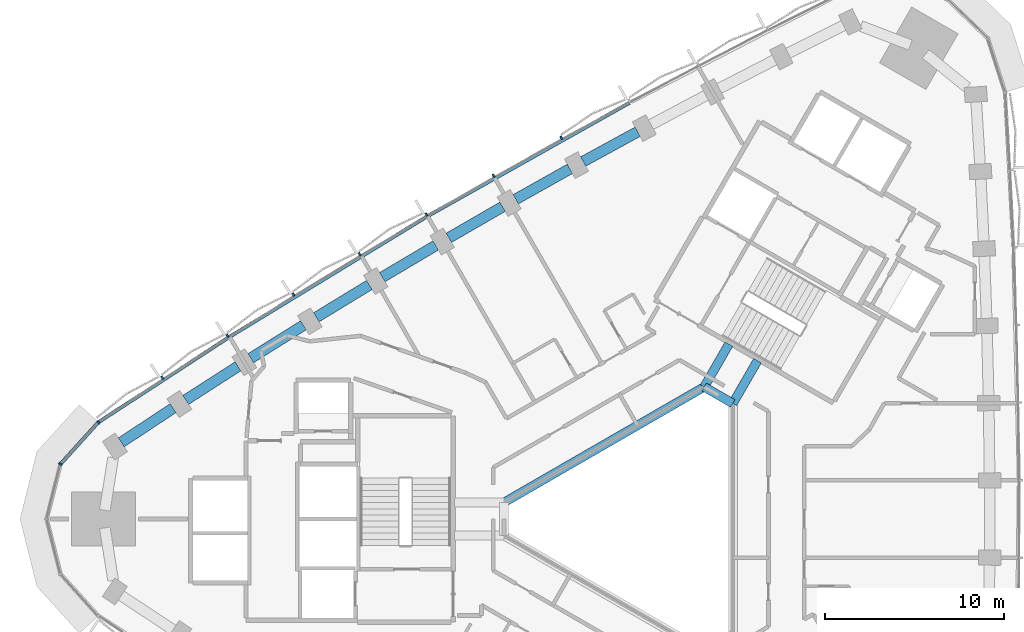
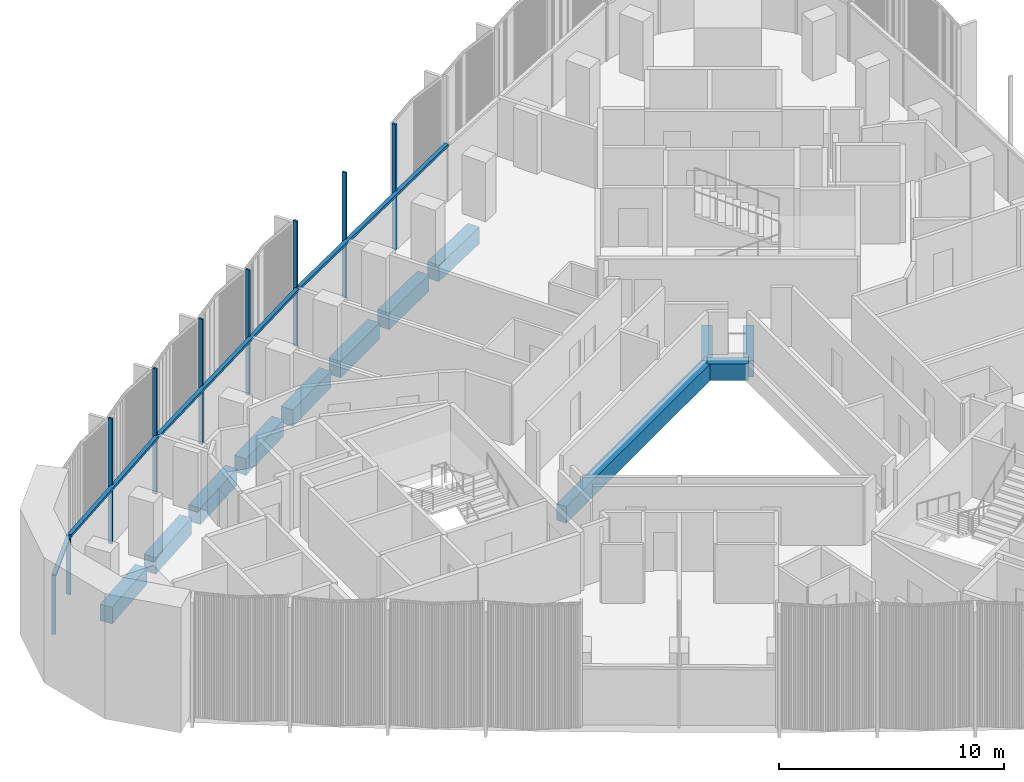
# One storey, part 4 of 15: 13 members, 12 beams, 1 element without a shape of its own.
"""IFC4 building model written with IfcOpenShell, lengths in metres."""

from ifc_helpers import new_model, si_unit, direction, frame, origin, origin_2d, place, context, subcontext, project, spatial, rectangle, extrude, material, material_profile, profile_set, type_object, element, aggregate, save


model = new_model("IFC4")

# Units and contexts
model_context = context("Model", 3, precision=1e-05, world=origin(), true_north=direction((0.0, 1.0)))
body_context = subcontext(model_context, "Body", "Model", "MODEL_VIEW")
ifc_project = project(units=[si_unit("LENGTHUNIT", "METRE"), si_unit("AREAUNIT", "SQUARE_METRE"), si_unit("VOLUMEUNIT", "CUBIC_METRE"), si_unit("PLANEANGLEUNIT", "RADIAN"), si_unit("MASSUNIT", "GRAM", prefix="KILO")], contexts=[model_context])

# Site, building, storey
site_placement = place(None, origin())
site = spatial("IfcSite", under=ifc_project, at=site_placement, CompositionType="ELEMENT")
building_placement = place(site_placement, origin())
building = spatial("IfcBuilding", under=site, at=building_placement, Name="Tamra Quay Hotel Tower", CompositionType="ELEMENT")
storey_placement = place(building_placement, frame((0.0, 0.0, 128.800048828125)))
storey = spatial("IfcBuildingStorey", under=building, at=storey_placement, Name="L31", CompositionType="ELEMENT", Elevation=128.800048828125)

# Beams
ifc_material_1 = material(Name="Concrete M60", Category="concrete")
ifc_material_profile_1 = material_profile(ifc_material_1, rectangle(XDim=0.5, YDim=0.89990234375, at=origin_2d()), Name="ATRIUM EDGE BEAM RC 500x900")
ifc_profile_set_1 = profile_set([ifc_material_profile_1], Name="Concrete M60")
beam_type_1 = type_object("IfcBeamType", Name="ATRIUM EDGE BEAM RC 500x900", PredefinedType="BEAM", material=ifc_profile_set_1)
beam_1_placement = place(storey_placement, frame((-8.0, 0.923828125, -0.85009765625), z_axis=(0.866024942741, 0.500000798549, 0.0), x_axis=(-0.500000798549, 0.866024942741, 0.0)))
element("IfcBeam", 1, at=beam_1_placement, inside=storey, type_object=beam_type_1, Name="BM-AB4-L31", PredefinedType="BEAM", context=body_context, shape_type="SweptSolid", body=[
    extrude(rectangle(XDim=0.5, YDim=0.89990234375, at=origin_2d()), origin(), (0.0, 0.0, 1.0), 12.9326171875),
])
beam_2_placement = place(storey_placement, frame((3.199951171875, 7.39013671875, -0.85009765625), z_axis=(0.86602275259, -0.500004591975, 0.0), x_axis=(0.500004591975, 0.86602275259, 0.0)))
element("IfcBeam", 2, at=beam_2_placement, inside=storey, type_object=beam_type_1, Name="BM-AB5-L31", PredefinedType="BEAM", context=body_context, shape_type="SweptSolid", body=[
    extrude(rectangle(XDim=0.5, YDim=0.89990234375, at=origin_2d()), origin(), (0.0, 0.0, 1.0), 1.84765625),
])
ifc_material_profile_2 = material_profile(ifc_material_1, rectangle(XDim=0.5, YDim=0.89990234375, at=origin_2d()), Name="ATRIUM TIE BEAM RC 500x900")
ifc_profile_set_2 = profile_set([ifc_material_profile_2], Name="Concrete M60")
beam_type_2 = type_object("IfcBeamType", Name="ATRIUM TIE BEAM RC 500x900", PredefinedType="BEAM", material=ifc_profile_set_2)
for number, where, z_axis, x_axis, name in (
    (3, (4.800048828125, 6.46630859375, -0.85009765625), (0.500008091576, 0.86602073206, 0.0), (-0.86602073206, 0.500008091576, 0.0), "BM-TIE-0-L31"),
    (4, (3.199951171875, 7.39013671875, -0.85009765625), (0.500008091576, 0.86602073206, 0.0), (-0.86602073206, 0.500008091576, 0.0), "BM-TIE-5-L31"),
):
    element("IfcBeam", number, at=place(storey_placement, frame(where, z_axis=z_axis, x_axis=x_axis)), inside=storey, type_object=beam_type_2, Name=name, PredefinedType="BEAM", context=body_context, shape_type="SweptSolid", body=[
        extrude(rectangle(XDim=0.5, YDim=0.89990234375, at=origin_2d()), origin(), (0.0, 0.0, 1.0), 2.76220703125),
    ])

# Curtain wall, members
ifc_material_2 = material(Name="Aluminium 6063 anodised dark grey", Category="aluminium")
curtain_wall_type = type_object("IfcCurtainWallType", Name="CW2 CURTAIN WALL", PredefinedType="NOTDEFINED", material=ifc_material_2)
curtain_wall_placement = place(storey_placement, origin())
curtain_wall = element("IfcCurtainWall", 5, at=curtain_wall_placement, inside=storey, type_object=curtain_wall_type, Name="CW2 north-west face L31", PredefinedType="NOTDEFINED")
ifc_material_profile_3 = material_profile(ifc_material_2, rectangle(XDim=0.199951171875, YDim=0.10009765625, at=origin_2d()), Name="MULLION 100X200")
ifc_profile_set_3 = profile_set([ifc_material_profile_3], Name="Aluminium 6063 anodised dark grey")
member_type_1 = type_object("IfcMemberType", Name="MULLION CW2 Z3", PredefinedType="MULLION", material=ifc_profile_set_3)
member_1_placement = place(storey_placement, frame((-4.792236328125, 21.329345703125, 0.0), z_axis=(0.0, 0.0, 1.0), x_axis=(-0.484394477866, 0.874849695555, 0.0)))
member_1 = element("IfcMember", 6, at=member_1_placement, type_object=member_type_1, Name="CW2 mullion L31.NW.5", PredefinedType="MULLION", context=body_context, shape_type="SweptSolid", body=[
    extrude(rectangle(XDim=0.199951171875, YDim=0.10009765625, at=origin_2d()), origin(), (0.0, 0.0, 1.0), 6.800048828125),
])
member_2_placement = place(storey_placement, frame((-8.578857421875, 19.202880859375, 0.0), z_axis=(0.0, 0.0, 1.0), x_axis=(-0.494813426934, 0.868999236205, 0.0)))
member_2 = element("IfcMember", 7, at=member_2_placement, type_object=member_type_1, Name="CW2 mullion L31.NW.6", PredefinedType="MULLION", context=body_context, shape_type="SweptSolid", body=[
    extrude(rectangle(XDim=0.199951171875, YDim=0.10009765625, at=origin_2d()), origin(), (0.0, 0.0, 1.0), 6.800048828125),
])
member_3_placement = place(storey_placement, frame((-12.3408203125, 17.031005859375, 0.0), z_axis=(0.0, 0.0, 1.0), x_axis=(-0.505168700956, 0.863020615961, 0.0)))
member_3 = element("IfcMember", 8, at=member_3_placement, type_object=member_type_1, Name="CW2 mullion L31.NW.7", PredefinedType="MULLION", context=body_context, shape_type="SweptSolid", body=[
    extrude(rectangle(XDim=0.199951171875, YDim=0.10009765625, at=origin_2d()), origin(), (0.0, 0.0, 1.0), 6.800048828125),
])
member_4_placement = place(storey_placement, frame((-16.07568359375, 14.814697265625, 0.0), z_axis=(0.0, 0.0, 1.0), x_axis=(-0.515444821911, 0.856922771062, 0.0)))
member_4 = element("IfcMember", 9, at=member_4_placement, type_object=member_type_1, Name="CW2 mullion L31.NW.8", PredefinedType="MULLION", context=body_context, shape_type="SweptSolid", body=[
    extrude(rectangle(XDim=0.199951171875, YDim=0.10009765625, at=origin_2d()), origin(), (0.0, 0.0, 1.0), 6.800048828125),
])
member_5_placement = place(storey_placement, frame((-19.784423828125, 12.5537109375, 0.0), z_axis=(0.0, 0.0, 1.0), x_axis=(-0.525646005383, 0.850703401325, 0.0)))
member_5 = element("IfcMember", 10, at=member_5_placement, type_object=member_type_1, Name="CW2 mullion L31.NW.9", PredefinedType="MULLION", context=body_context, shape_type="SweptSolid", body=[
    extrude(rectangle(XDim=0.199951171875, YDim=0.10009765625, at=origin_2d()), origin(), (0.0, 0.0, 1.0), 6.800048828125),
])
member_6_placement = place(storey_placement, frame((-23.466064453125, 10.248291015625, 0.0), z_axis=(0.0, 0.0, 1.0), x_axis=(-0.535760125246, 0.844370231709, 0.0)))
member_6 = element("IfcMember", 11, at=member_6_placement, type_object=member_type_1, Name="CW2 mullion L31.NW.10", PredefinedType="MULLION", context=body_context, shape_type="SweptSolid", body=[
    extrude(rectangle(XDim=0.199951171875, YDim=0.10009765625, at=origin_2d()), origin(), (0.0, 0.0, 1.0), 6.800048828125),
])
member_7_placement = place(storey_placement, frame((-27.119140625, 7.899658203125, 0.0), z_axis=(0.0, 0.0, 1.0), x_axis=(-0.545780314448, 0.837928307411, 0.0)))
member_7 = element("IfcMember", 12, at=member_7_placement, type_object=member_type_1, Name="CW2 mullion L31.NW.11", PredefinedType="MULLION", context=body_context, shape_type="SweptSolid", body=[
    extrude(rectangle(XDim=0.199951171875, YDim=0.10009765625, at=origin_2d()), origin(), (0.0, 0.0, 1.0), 6.800048828125),
])
member_8_placement = place(storey_placement, frame((-30.688720703125, 5.424560546875, 0.0), z_axis=(0.0, 0.0, 1.0), x_axis=(-0.650989312843, 0.759086895266, 0.0)))
member_8 = element("IfcMember", 13, at=member_8_placement, type_object=member_type_1, Name="CW2 mullion L31.NW.12", PredefinedType="MULLION", context=body_context, shape_type="SweptSolid", body=[
    extrude(rectangle(XDim=0.199951171875, YDim=0.10009765625, at=origin_2d()), origin(), (0.0, 0.0, 1.0), 3.199951171875),
])
member_9_placement = place(storey_placement, frame((-32.81787109375, 3.075439453125, 0.0), z_axis=(0.0, 0.0, 1.0), x_axis=(-0.881925145425, 0.47138947577, 0.0)))
member_9 = element("IfcMember", 14, at=member_9_placement, type_object=member_type_1, Name="CW2 mullion L31.NW.13", PredefinedType="MULLION", context=body_context, shape_type="SweptSolid", body=[
    extrude(rectangle(XDim=0.199951171875, YDim=0.10009765625, at=origin_2d()), origin(), (0.0, 0.0, 1.0), 3.199951171875),
])

# Beams
ifc_material_profile_4 = material_profile(ifc_material_1, rectangle(XDim=0.60009765625, YDim=0.89990234375, at=origin_2d()), Name="SPANDREL BEAM RC 600x900")
ifc_profile_set_4 = profile_set([ifc_material_profile_4], Name="Concrete M60")
beam_type_3 = type_object("IfcBeamType", Name="SPANDREL BEAM RC 600x900", PredefinedType="SPANDREL", material=ifc_profile_set_4)
beam_3_placement = place(storey_placement, frame((-0.523681640625, 21.6669921875, -0.85009765625), z_axis=(-0.877731617539, -0.479152593202, 0.0), x_axis=(0.479152593202, -0.877731617539, 0.0)))
element("IfcBeam", 15, at=beam_3_placement, inside=storey, type_object=beam_type_3, Name="BM-SP3-016-L31", PredefinedType="SPANDREL", context=body_context, shape_type="SweptSolid", body=[
    extrude(rectangle(XDim=0.60009765625, YDim=0.89990234375, at=origin_2d()), origin(), (0.0, 0.0, 1.0), 3.472412109375),
])
beam_4_placement = place(storey_placement, frame((-4.315185546875, 19.59130859375, -0.85009765625), z_axis=(-0.871956406858, -0.489583521516, 0.0), x_axis=(0.489583521516, -0.871956406858, 0.0)))
element("IfcBeam", 16, at=beam_4_placement, inside=storey, type_object=beam_type_3, Name="BM-SP3-017-L31", PredefinedType="SPANDREL", context=body_context, shape_type="SweptSolid", body=[
    extrude(rectangle(XDim=0.60009765625, YDim=0.89990234375, at=origin_2d()), origin(), (0.0, 0.0, 1.0), 3.47265625),
])
beam_5_placement = place(storey_placement, frame((-8.081787109375, 17.470458984375, -0.85009765625), z_axis=(-0.866032201241, -0.499988226275, 0.0), x_axis=(0.499988226275, -0.866032201241, 0.0)))
element("IfcBeam", 17, at=beam_5_placement, inside=storey, type_object=beam_type_3, Name="BM-SP3-018-L31", PredefinedType="SPANDREL", context=body_context, shape_type="SweptSolid", body=[
    extrude(rectangle(XDim=0.60009765625, YDim=0.89990234375, at=origin_2d()), origin(), (0.0, 0.0, 1.0), 3.47216796875),
])
beam_6_placement = place(storey_placement, frame((-11.822509765625, 15.304931640625, -0.85009765625), z_axis=(-0.859988767784, -0.510312962098, 0.0), x_axis=(0.510312962098, -0.859988767784, 0.0)))
element("IfcBeam", 18, at=beam_6_placement, inside=storey, type_object=beam_type_3, Name="BM-SP3-019-L31", PredefinedType="SPANDREL", context=body_context, shape_type="SweptSolid", body=[
    extrude(rectangle(XDim=0.60009765625, YDim=0.89990234375, at=origin_2d()), origin(), (0.0, 0.0, 1.0), 3.472900390625),
])
for number, where, z_axis, x_axis, name in (
    (19, (-15.53759765625, 13.094482421875, -0.85009765625), (-0.853835813207, -0.520542413339, 0.0), (0.520542413339, -0.853835813207, 0.0), "BM-SP3-020-L31"),
    (20, (-19.225341796875, 10.840087890625, -0.85009765625), (-0.847547681474, -0.530719255, 0.0), (0.530719255, -0.847547681474, 0.0), "BM-SP3-021-L31"),
):
    element("IfcBeam", number, at=place(storey_placement, frame(where, z_axis=z_axis, x_axis=x_axis)), inside=storey, type_object=beam_type_3, Name=name, PredefinedType="SPANDREL", context=body_context, shape_type="SweptSolid", body=[
        extrude(rectangle(XDim=0.60009765625, YDim=0.89990234375, at=origin_2d()), origin(), (0.0, 0.0, 1.0), 3.47216796875),
    ])
beam_7_placement = place(storey_placement, frame((-22.885986328125, 8.5419921875, -0.85009765625), z_axis=(-0.84116020305, -0.540786013878, 0.0), x_axis=(0.540786013878, -0.84116020305, 0.0)))
element("IfcBeam", 21, at=beam_7_placement, inside=storey, type_object=beam_type_3, Name="BM-SP3-022-L31", PredefinedType="SPANDREL", context=body_context, shape_type="SweptSolid", body=[
    extrude(rectangle(XDim=0.60009765625, YDim=0.89990234375, at=origin_2d()), origin(), (0.0, 0.0, 1.0), 3.47314453125),
])
beam_8_placement = place(storey_placement, frame((-26.51953125, 6.199951171875, -0.85009765625), z_axis=(-0.834690851507, -0.55071878705, 0.0), x_axis=(0.55071878705, -0.834690851507, 0.0)))
element("IfcBeam", 22, at=beam_8_placement, inside=storey, type_object=beam_type_3, Name="BM-SP3-023-L31", PredefinedType="SPANDREL", context=body_context, shape_type="SweptSolid", body=[
    extrude(rectangle(XDim=0.60009765625, YDim=0.89990234375, at=origin_2d()), origin(), (0.0, 0.0, 1.0), 3.472412109375),
])

# Member
ifc_material_profile_5 = material_profile(ifc_material_2, rectangle(XDim=0.199951171875, YDim=0.139892578125, at=origin_2d()), Name="TRANSOM 200X140")
ifc_profile_set_5 = profile_set([ifc_material_profile_5], Name="Aluminium 6063 anodised dark grey")
member_type_2 = type_object("IfcMemberType", Name="TRANSOM CW2 Z3", PredefinedType="USERDEFINED", material=ifc_profile_set_5)
member_10_placement = place(storey_placement, frame((-0.97607421875, 23.298828125, 3.1298828125), z_axis=(-0.871933427446, -0.48962444598, 0.0), x_axis=(0.48962444598, -0.871933427446, 0.0)))
member_10 = element("IfcMember", 23, at=member_10_placement, type_object=member_type_2, Name="CW2 transom L31.NW.4", ObjectType="TRANSOM", PredefinedType="USERDEFINED", context=body_context, shape_type="SweptSolid", body=[
    extrude(rectangle(XDim=0.199951171875, YDim=0.139892578125, at=origin_2d()), origin(), (0.0, 0.0, 1.0), 12.926513671875),
])

member_11_placement = place(storey_placement, frame((-12.333251953125, 16.919189453125, 3.1298828125), z_axis=(-0.853831802217, -0.520548992433, 0.0), x_axis=(0.520548992433, -0.853831802217, 0.0)))
member_11 = element("IfcMember", 24, at=member_11_placement, type_object=member_type_2, Name="CW2 transom L31.NW.7", ObjectType="TRANSOM", PredefinedType="USERDEFINED", context=body_context, shape_type="SweptSolid", body=[
    extrude(rectangle(XDim=0.199951171875, YDim=0.139892578125, at=origin_2d()), origin(), (0.0, 0.0, 1.0), 12.92626953125),
])

member_12_placement = place(storey_placement, frame((-23.45458984375, 10.13671875, 3.1298828125), z_axis=(-0.837931839727, -0.545774891298, 0.0), x_axis=(0.545774891298, -0.837931839727, 0.0)))
member_12 = element("IfcMember", 25, at=member_12_placement, type_object=member_type_2, Name="CW2 transom L31.NW.10", ObjectType="TRANSOM", PredefinedType="USERDEFINED", context=body_context, shape_type="SweptSolid", body=[
    extrude(rectangle(XDim=0.199951171875, YDim=0.139892578125, at=origin_2d()), origin(), (0.0, 0.0, 1.0), 8.583740234375),
])

member_13_placement = place(storey_placement, frame((-30.722412109375, 5.387451171875, 3.1298828125), z_axis=(-0.671548073699, -0.740960987307, 0.0), x_axis=(0.740960987307, -0.671548073699, 0.0)))
member_13 = element("IfcMember", 26, at=member_13_placement, type_object=member_type_2, Name="CW2 transom L31.NW.12", ObjectType="TRANSOM", PredefinedType="USERDEFINED", context=body_context, shape_type="SweptSolid", body=[
    extrude(rectangle(XDim=0.199951171875, YDim=0.139892578125, at=origin_2d()), origin(), (0.0, 0.0, 1.0), 3.070556640625),
])

aggregate(curtain_wall, [member_10, member_1, member_2, member_3, member_11, member_4, member_5, member_6, member_12, member_7, member_8, member_13, member_9])

save(model, "model.ifc")
